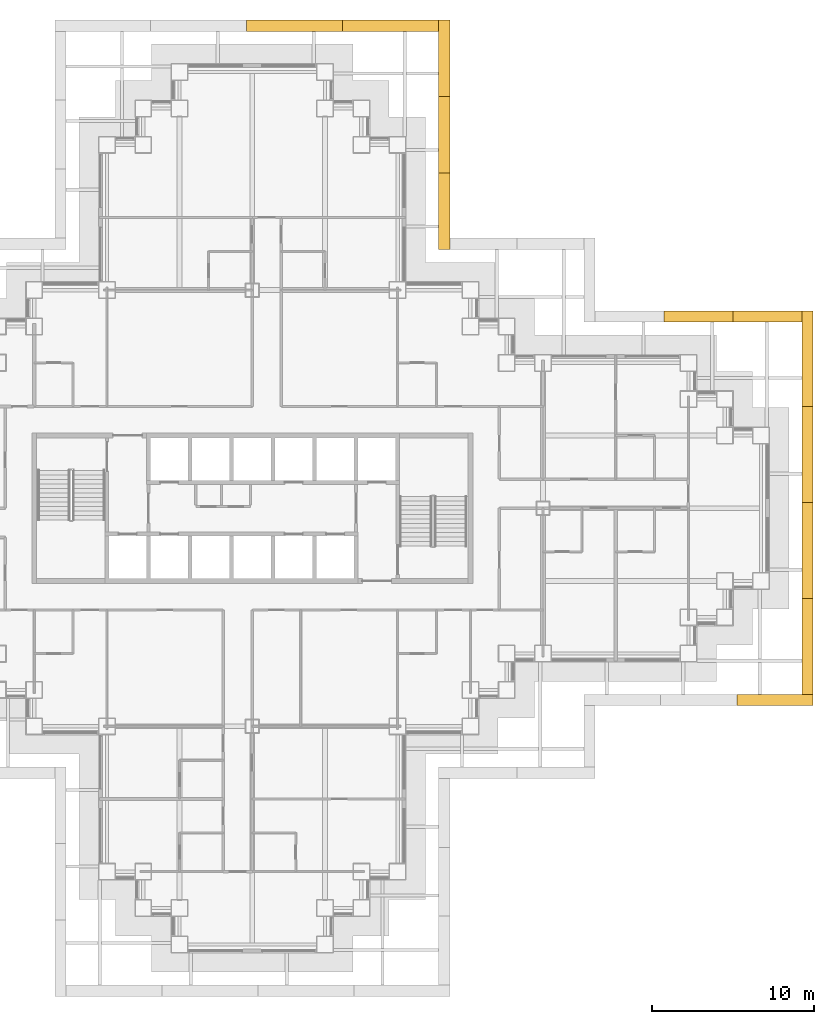
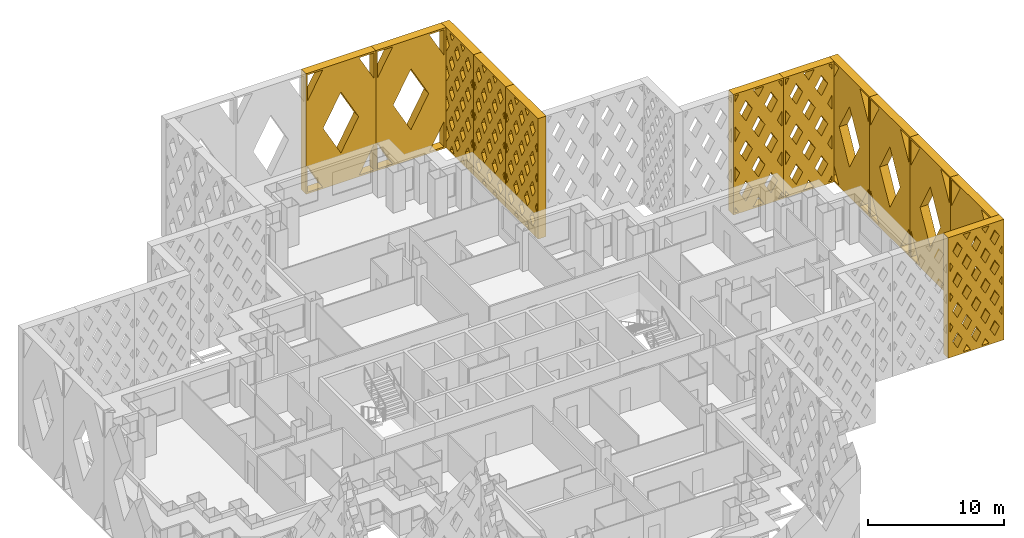
# One storey, part 19 of 19: 12 shading devices.
"""IFC4 building model written with IfcOpenShell, lengths in metres."""

import ifcopenshell
import ifcopenshell.guid

model = None  # the IFC model being written
_history = None  # IfcOwnerHistory: only IFC2X3 demands one
_inside = {}  # id of a spatial element -> (the spatial element, [elements in it])
_under = {}  # id of a project, library or spatial element -> (it, [spatial elements below it])
_declared = {}  # id of a project -> (the project, [libraries it declares])
_typed = {}  # id of a type object -> (the type object, [elements of that type])
_made_of = {}  # id of a material, layer set ... -> (it, [elements and type objects made of it])


def new_model(schema):
    """Start an empty IFC model of exactly this schema.

    Asked for "IFC4X3", IfcOpenShell would pick the latest addendum, in which some entities
    have other attributes; the version numbers below select the first issue.
    IFC2X3 requires an IfcOwnerHistory on every rooted entity: one is made here for all.
    """
    global model, _history
    if schema == "IFC4X3":
        model = ifcopenshell.file(schema_version=(4, 3, 0, 0))
    else:
        model = ifcopenshell.file(schema=schema)
    _inside.clear()
    _under.clear()
    _declared.clear()
    _typed.clear()
    _made_of.clear()
    _history = None
    if model.schema == "IFC2X3":
        org = make("IfcOrganization", Name="unknown")
        user = make(
            "IfcPersonAndOrganization",
            ThePerson=make("IfcPerson", FamilyName="unknown"),
            TheOrganization=org,
        )
        app = make(
            "IfcApplication",
            ApplicationDeveloper=org,
            Version="unknown",
            ApplicationFullName="unknown",
            ApplicationIdentifier="unknown",
        )
        _history = make(
            "IfcOwnerHistory",
            OwningUser=user,
            OwningApplication=app,
            ChangeAction="ADDED",
            CreationDate=0,
        )
    return model


def make(cls, **values):
    """One entity of the class cls with the attributes given. An attribute that is None is left unset."""
    return model.create_entity(
        cls, **{name: value for name, value in values.items() if value is not None}
    )


def rooted(cls, **values):
    """An entity with a GlobalId (a new one), such as an element, a storey or a relation."""
    return make(cls, GlobalId=ifcopenshell.guid.new(), OwnerHistory=_history, **values)


def si_unit(unit_type, name, prefix=None):
    """IfcSIUnit, for example si_unit("LENGTHUNIT", "METRE", prefix="MILLI")."""
    return make("IfcSIUnit", UnitType=unit_type, Prefix=prefix, Name=name)


def assignment(units):
    """IfcUnitAssignment: the units of a project."""
    return None if units is None else make("IfcUnitAssignment", Units=units)


def point(xyz):
    """IfcCartesianPoint."""
    return None if xyz is None else make("IfcCartesianPoint", Coordinates=xyz)


def direction(xyz):
    """IfcDirection."""
    return None if xyz is None else make("IfcDirection", DirectionRatios=xyz)


def frame(location, z_axis=None, x_axis=None):
    """IfcAxis2Placement3D, a coordinate frame: its origin and axes. An axis left out is left unset."""
    return make(
        "IfcAxis2Placement3D",
        Location=point(location),
        Axis=direction(z_axis),
        RefDirection=direction(x_axis),
    )


def origin():
    """The frame at (0, 0, 0) with its axes left unset."""
    return frame((0.0, 0.0, 0.0))


def place(relative_to, where):
    """IfcLocalPlacement: puts the frame where relative to a parent placement (None: the world)."""
    return make(
        "IfcLocalPlacement", PlacementRelTo=relative_to, RelativePlacement=where
    )


def context(
    kind, dimensions, precision=None, world=None, true_north=None, identifier=None
):
    """IfcGeometricRepresentationContext, for example the 3D "Model" context."""
    return make(
        "IfcGeometricRepresentationContext",
        ContextIdentifier=identifier,
        ContextType=kind,
        CoordinateSpaceDimension=dimensions,
        Precision=precision,
        WorldCoordinateSystem=world,
        TrueNorth=true_north,
    )


def subcontext(parent, identifier, kind, view, scale=None):
    """IfcGeometricRepresentationSubContext, for example "Body" below "Model"."""
    return make(
        "IfcGeometricRepresentationSubContext",
        ContextIdentifier=identifier,
        ContextType=kind,
        ParentContext=parent,
        TargetScale=scale,
        TargetView=view,
    )


def project(units=None, contexts=None):
    """IfcProject with its units and contexts."""
    return rooted(
        "IfcProject",
        Name="project",
        RepresentationContexts=contexts,
        UnitsInContext=assignment(units),
    )


def spatial(cls, under=None, at=None, **own):
    """A site, building, storey or space (cls), placed at a placement, below another one or the project."""
    s = rooted(cls, ObjectPlacement=at, **own)
    if under is not None:
        _under.setdefault(under.id(), (under, []))[1].append(s)
    return s


def polyline(points):
    """IfcPolyline through the points."""
    return make("IfcPolyline", Points=[point(p) for p in points])


def outline(outer, holes=None, kind="AREA"):
    """IfcArbitraryClosedProfileDef: a profile drawn as a closed curve; with holes, ...WithVoids."""
    if holes is None:
        return make("IfcArbitraryClosedProfileDef", ProfileType=kind, OuterCurve=outer)
    return make(
        "IfcArbitraryProfileDefWithVoids",
        ProfileType=kind,
        OuterCurve=outer,
        InnerCurves=holes,
    )


def extrude(swept, where, along, depth):
    """IfcExtrudedAreaSolid: the profile swept, set in the frame where, extruded along a direction by depth."""
    return make(
        "IfcExtrudedAreaSolid",
        SweptArea=swept,
        Position=where,
        ExtrudedDirection=direction(along),
        Depth=depth,
    )


def shape(context_of_items, identifier, shape_type, items):
    """IfcShapeRepresentation: the items that make up one representation, for example the "Body"."""
    return make(
        "IfcShapeRepresentation",
        ContextOfItems=context_of_items,
        RepresentationIdentifier=identifier,
        RepresentationType=shape_type,
        Items=items,
    )


def material(Name=None, Category=None):
    """IfcMaterial."""
    return make("IfcMaterial", Name=Name, Category=Category)


def made_of(thing, what):
    """Note that an element or type object is made of a material, layer set ...; save() writes the relation."""
    if what is not None:
        _made_of.setdefault(what.id(), (what, []))[1].append(thing)
    return thing


def type_object(cls, material=None, **own):
    """A type object (cls), such as IfcWallType, which elements share."""
    return made_of(rooted(cls, **own), material)


def element(
    cls,
    number,
    at=None,
    inside=None,
    cuts=None,
    type_object=None,
    material=None,
    context=None,
    identifier="Body",
    shape_type=None,
    held_by="IfcProductDefinitionShape",
    body=None,
    shapes=None,
    **own,
):
    """One element of the class cls, such as IfcWall. Its Tag is "e" and its number.

    at: its placement. inside: the storey or other place that contains it. cuts: it is an
    opening in that element (IfcRelVoidsElement). A single representation is given by context,
    identifier, shape_type and body (its items); several are given by shapes. held_by: the class
    of the entity that holds the representations. save() writes the other relations.
    """
    e = rooted(cls, Tag="e%d" % number, ObjectPlacement=at, **own)
    if body is not None:
        shapes = [shape(context, identifier, shape_type, body)]
    if shapes is not None:
        e.Representation = make(held_by, Representations=shapes)
    if inside is not None:
        _inside.setdefault(inside.id(), (inside, []))[1].append(e)
    if cuts is not None:
        rooted(
            "IfcRelVoidsElement", RelatingBuildingElement=cuts, RelatedOpeningElement=e
        )
    if type_object is not None:
        _typed.setdefault(type_object.id(), (type_object, []))[1].append(e)
    return made_of(e, material)


def aggregate(whole, parts):
    """IfcRelAggregates: a whole, such as a stair, and the parts it consists of."""
    return rooted("IfcRelAggregates", RelatingObject=whole, RelatedObjects=parts)


def save(model, path):
    """Write the relations noted so far, then the file.

    IfcRelAggregates (storeys below a building ...), IfcRelContainedInSpatialStructure (elements
    in a storey), IfcRelDefinesByType, IfcRelAssociatesMaterial and IfcRelDeclares: one each for
    every whole, place, type object, material and project.
    """
    for whole, parts in _under.values():
        aggregate(whole, parts)
    for where, things in _inside.values():
        rooted(
            "IfcRelContainedInSpatialStructure",
            RelatedElements=things,
            RelatingStructure=where,
        )
    for kind, things in _typed.values():
        rooted("IfcRelDefinesByType", RelatedObjects=things, RelatingType=kind)
    for what, things in _made_of.values():
        rooted("IfcRelAssociatesMaterial", RelatedObjects=things, RelatingMaterial=what)
    for by, libraries in _declared.values():
        rooted("IfcRelDeclares", RelatingContext=by, RelatedDefinitions=libraries)
    model.write(path)


model = new_model("IFC4")

# Units and contexts
model_context = context("Model", 3, precision=1e-05, world=origin(), true_north=direction((0.0, 1.0)))
body_context = subcontext(model_context, "Body", "Model", "MODEL_VIEW")
ifc_project = project(units=[si_unit("LENGTHUNIT", "METRE"), si_unit("AREAUNIT", "SQUARE_METRE"), si_unit("VOLUMEUNIT", "CUBIC_METRE"), si_unit("PLANEANGLEUNIT", "RADIAN"), si_unit("MASSUNIT", "GRAM", prefix="KILO")], contexts=[model_context])

# Site, building, storey
site_placement = place(None, origin())
site = spatial("IfcSite", under=ifc_project, at=site_placement, CompositionType="ELEMENT")
building_placement = place(site_placement, origin())
building = spatial("IfcBuilding", under=site, at=building_placement, Name="Caravel Reach Hotel and Residences", CompositionType="ELEMENT")
storey_placement = place(building_placement, frame((0.0, 0.0, 52.800048828125)))
storey = spatial("IfcBuildingStorey", under=building, at=storey_placement, Name="L11", CompositionType="ELEMENT", Elevation=52.800048828125)

# Shading devices
ifc_material_1 = material(Name="Black powder-coated aluminium", Category="aluminium")
shading_device_type_1 = type_object("IfcShadingDeviceType", Name="Diamond lattice screen panel 4267 x 10800", PredefinedType="USERDEFINED", material=ifc_material_1)
shading_device_1_placement = place(storey_placement, frame((65.52490234375, 38.52490234375, 0.0), z_axis=(0.0, 1.0, 0.0), x_axis=(-1.0, 0.0, 0.0)))
element("IfcShadingDevice", 1, at=shading_device_1_placement, inside=storey, type_object=shading_device_type_1, Name="Lattice screen L11-L13 8.1", ObjectType="SCREEN", PredefinedType="USERDEFINED", context=body_context, shape_type="SweptSolid", body=[
    extrude(outline(polyline([(0.0, 0.0), (4.2666015625, 0.0), (4.2666015625, 10.800048828125), (0.0, 10.800048828125), (0.0, 0.0)]), holes=[polyline([(0.457275390625, 0.14990234375), (0.14990234375, 0.66845703125), (0.14990234375, 0.14990234375), (0.457275390625, 0.14990234375)]), polyline([(0.546142578125, 3.60009765625), (0.14990234375, 4.2685546875), (0.14990234375, 2.931396484375), (0.546142578125, 3.60009765625)]), polyline([(0.546142578125, 7.199951171875), (0.14990234375, 7.868408203125), (0.14990234375, 6.531494140625), (0.546142578125, 7.199951171875)]), polyline([(0.14990234375, 10.131591796875), (0.457275390625, 10.64990234375), (0.14990234375, 10.64990234375), (0.14990234375, 10.131591796875)]), polyline([(1.066650390625, 2.7216796875), (0.5205078125, 1.800048828125), (1.066650390625, 0.87841796875), (1.61279296875, 1.800048828125), (1.066650390625, 2.7216796875)]), polyline([(1.066650390625, 6.321533203125), (0.5205078125, 5.39990234375), (1.066650390625, 4.478271484375), (1.61279296875, 5.39990234375), (1.066650390625, 6.321533203125)]), polyline([(1.066650390625, 9.921630859375), (0.5205078125, 9.0), (1.066650390625, 8.078369140625), (1.61279296875, 9.0), (1.066650390625, 9.921630859375)]), polyline([(2.13330078125, 0.921630859375), (1.676025390625, 0.14990234375), (2.590576171875, 0.14990234375), (2.13330078125, 0.921630859375)]), polyline([(2.13330078125, 4.521728515625), (1.587158203125, 3.60009765625), (2.13330078125, 2.678466796875), (2.679443359375, 3.60009765625), (2.13330078125, 4.521728515625)]), polyline([(2.13330078125, 8.12158203125), (1.587158203125, 7.199951171875), (2.13330078125, 6.2783203125), (2.679443359375, 7.199951171875), (2.13330078125, 8.12158203125)]), polyline([(2.13330078125, 9.87841796875), (2.590576171875, 10.64990234375), (1.676025390625, 10.64990234375), (2.13330078125, 9.87841796875)]), polyline([(3.199951171875, 2.7216796875), (2.65380859375, 1.800048828125), (3.199951171875, 0.87841796875), (3.74609375, 1.800048828125), (3.199951171875, 2.7216796875)]), polyline([(3.199951171875, 6.321533203125), (2.65380859375, 5.39990234375), (3.199951171875, 4.478271484375), (3.74609375, 5.39990234375), (3.199951171875, 6.321533203125)]), polyline([(3.199951171875, 9.921630859375), (2.65380859375, 9.0), (3.199951171875, 8.078369140625), (3.74609375, 9.0), (3.199951171875, 9.921630859375)]), polyline([(4.11669921875, 0.66845703125), (3.809326171875, 0.14990234375), (4.11669921875, 0.14990234375), (4.11669921875, 0.66845703125)]), polyline([(3.720458984375, 3.60009765625), (4.11669921875, 2.931396484375), (4.11669921875, 4.2685546875), (3.720458984375, 3.60009765625)]), polyline([(3.720458984375, 7.199951171875), (4.11669921875, 6.531494140625), (4.11669921875, 7.868408203125), (3.720458984375, 7.199951171875)]), polyline([(3.809326171875, 10.64990234375), (4.11669921875, 10.131591796875), (4.11669921875, 10.64990234375), (3.809326171875, 10.64990234375)])]), origin(), (0.0, 0.0, 1.0), 0.7001953125),
])
shading_device_2_placement = place(storey_placement, frame((61.25830078125, 38.52490234375, 0.0), z_axis=(0.0, 1.0, 0.0), x_axis=(-1.0, 0.0, 0.0)))
element("IfcShadingDevice", 2, at=shading_device_2_placement, inside=storey, type_object=shading_device_type_1, Name="Lattice screen L11-L13 8.2", ObjectType="SCREEN", PredefinedType="USERDEFINED", context=body_context, shape_type="SweptSolid", body=[
    extrude(outline(polyline([(0.0, 0.0), (4.2666015625, 0.0), (4.2666015625, 10.800048828125), (0.0, 10.800048828125), (0.0, 0.0)]), holes=[polyline([(0.457275390625, 0.14990234375), (0.14990234375, 0.66845703125), (0.14990234375, 0.14990234375), (0.457275390625, 0.14990234375)]), polyline([(0.546142578125, 3.60009765625), (0.14990234375, 4.2685546875), (0.14990234375, 2.931396484375), (0.546142578125, 3.60009765625)]), polyline([(0.546142578125, 7.199951171875), (0.14990234375, 7.868408203125), (0.14990234375, 6.531494140625), (0.546142578125, 7.199951171875)]), polyline([(0.14990234375, 10.131591796875), (0.457275390625, 10.64990234375), (0.14990234375, 10.64990234375), (0.14990234375, 10.131591796875)]), polyline([(1.066650390625, 2.7216796875), (0.5205078125, 1.800048828125), (1.066650390625, 0.87841796875), (1.61279296875, 1.800048828125), (1.066650390625, 2.7216796875)]), polyline([(1.066650390625, 6.321533203125), (0.5205078125, 5.39990234375), (1.066650390625, 4.478271484375), (1.61279296875, 5.39990234375), (1.066650390625, 6.321533203125)]), polyline([(1.066650390625, 9.921630859375), (0.5205078125, 9.0), (1.066650390625, 8.078369140625), (1.61279296875, 9.0), (1.066650390625, 9.921630859375)]), polyline([(2.13330078125, 0.921630859375), (1.676025390625, 0.14990234375), (2.590576171875, 0.14990234375), (2.13330078125, 0.921630859375)]), polyline([(2.13330078125, 4.521728515625), (1.587158203125, 3.60009765625), (2.13330078125, 2.678466796875), (2.679443359375, 3.60009765625), (2.13330078125, 4.521728515625)]), polyline([(2.13330078125, 8.12158203125), (1.587158203125, 7.199951171875), (2.13330078125, 6.2783203125), (2.679443359375, 7.199951171875), (2.13330078125, 8.12158203125)]), polyline([(2.13330078125, 9.87841796875), (2.590576171875, 10.64990234375), (1.676025390625, 10.64990234375), (2.13330078125, 9.87841796875)]), polyline([(3.199951171875, 2.7216796875), (2.65380859375, 1.800048828125), (3.199951171875, 0.87841796875), (3.74609375, 1.800048828125), (3.199951171875, 2.7216796875)]), polyline([(3.199951171875, 6.321533203125), (2.65380859375, 5.39990234375), (3.199951171875, 4.478271484375), (3.74609375, 5.39990234375), (3.199951171875, 6.321533203125)]), polyline([(3.199951171875, 9.921630859375), (2.65380859375, 9.0), (3.199951171875, 8.078369140625), (3.74609375, 9.0), (3.199951171875, 9.921630859375)]), polyline([(4.11669921875, 0.66845703125), (3.809326171875, 0.14990234375), (4.11669921875, 0.14990234375), (4.11669921875, 0.66845703125)]), polyline([(3.720458984375, 3.60009765625), (4.11669921875, 2.931396484375), (4.11669921875, 4.2685546875), (3.720458984375, 3.60009765625)]), polyline([(3.720458984375, 7.199951171875), (4.11669921875, 6.531494140625), (4.11669921875, 7.868408203125), (3.720458984375, 7.199951171875)]), polyline([(3.809326171875, 10.64990234375), (4.11669921875, 10.131591796875), (4.11669921875, 10.64990234375), (3.809326171875, 10.64990234375)])]), origin(), (0.0, 0.0, 1.0), 0.7001953125),
])
ifc_material_2 = material(Name="Black powder-coated aluminium", Category="aluminium")
shading_device_type_2 = type_object("IfcShadingDeviceType", Name="Diamond lattice screen panel 4733 x 10800", PredefinedType="USERDEFINED", material=ifc_material_2)
shading_device_3_placement = place(storey_placement, frame((61.49169921875, 15.47509765625, 0.0), z_axis=(0.0, -1.0, 0.0), x_axis=(1.0, 0.0, 0.0)))
element("IfcShadingDevice", 3, at=shading_device_3_placement, inside=storey, type_object=shading_device_type_2, Name="Lattice screen L11-L13 6.3", ObjectType="SCREEN", PredefinedType="USERDEFINED", context=body_context, shape_type="SweptSolid", body=[
    extrude(outline(polyline([(0.0, 0.0), (4.7333984375, 0.0), (4.7333984375, 10.800048828125), (0.0, 10.800048828125), (0.0, 0.0)]), holes=[polyline([(0.4013671875, 2.699951171875), (0.14990234375, 3.130126953125), (0.14990234375, 2.269775390625), (0.4013671875, 2.699951171875)]), polyline([(0.4013671875, 5.39990234375), (0.14990234375, 5.830078125), (0.14990234375, 4.969970703125), (0.4013671875, 5.39990234375)]), polyline([(0.4013671875, 8.10009765625), (0.14990234375, 8.530029296875), (0.14990234375, 7.669921875), (0.4013671875, 8.10009765625)]), polyline([(0.788818359375, 2.036865234375), (0.387451171875, 1.35009765625), (0.788818359375, 0.6630859375), (1.190185546875, 1.35009765625), (0.788818359375, 2.036865234375)]), polyline([(0.788818359375, 4.73681640625), (0.387451171875, 4.050048828125), (0.788818359375, 3.36328125), (1.190185546875, 4.050048828125), (0.788818359375, 4.73681640625)]), polyline([(0.788818359375, 7.436767578125), (0.387451171875, 6.75), (0.788818359375, 6.063232421875), (1.190185546875, 6.75), (0.788818359375, 7.436767578125)]), polyline([(0.788818359375, 10.13671875), (0.387451171875, 9.449951171875), (0.788818359375, 8.76318359375), (1.190185546875, 9.449951171875), (0.788818359375, 10.13671875)]), polyline([(1.577880859375, 0.686767578125), (1.26416015625, 0.14990234375), (1.8916015625, 0.14990234375), (1.577880859375, 0.686767578125)]), polyline([(1.577880859375, 3.38671875), (1.176513671875, 2.699951171875), (1.577880859375, 2.01318359375), (1.979248046875, 2.699951171875), (1.577880859375, 3.38671875)]), polyline([(1.577880859375, 6.0869140625), (1.176513671875, 5.39990234375), (1.577880859375, 4.713134765625), (1.979248046875, 5.39990234375), (1.577880859375, 6.0869140625)]), polyline([(1.577880859375, 8.786865234375), (1.176513671875, 8.10009765625), (1.577880859375, 7.4130859375), (1.979248046875, 8.10009765625), (1.577880859375, 8.786865234375)]), polyline([(1.577880859375, 10.11328125), (1.8916015625, 10.64990234375), (1.26416015625, 10.64990234375), (1.577880859375, 10.11328125)]), polyline([(2.36669921875, 2.036865234375), (1.96533203125, 1.35009765625), (2.36669921875, 0.6630859375), (2.76806640625, 1.35009765625), (2.36669921875, 2.036865234375)]), polyline([(2.36669921875, 4.73681640625), (1.96533203125, 4.050048828125), (2.36669921875, 3.36328125), (2.76806640625, 4.050048828125), (2.36669921875, 4.73681640625)]), polyline([(2.36669921875, 7.436767578125), (1.96533203125, 6.75), (2.36669921875, 6.063232421875), (2.76806640625, 6.75), (2.36669921875, 7.436767578125)]), polyline([(2.36669921875, 10.13671875), (1.96533203125, 9.449951171875), (2.36669921875, 8.76318359375), (2.76806640625, 9.449951171875), (2.36669921875, 10.13671875)]), polyline([(3.155517578125, 0.686767578125), (2.841796875, 0.14990234375), (3.46923828125, 0.14990234375), (3.155517578125, 0.686767578125)]), polyline([(3.155517578125, 3.38671875), (2.754150390625, 2.699951171875), (3.155517578125, 2.01318359375), (3.556884765625, 2.699951171875), (3.155517578125, 3.38671875)]), polyline([(3.155517578125, 6.0869140625), (2.754150390625, 5.39990234375), (3.155517578125, 4.713134765625), (3.556884765625, 5.39990234375), (3.155517578125, 6.0869140625)]), polyline([(3.155517578125, 8.786865234375), (2.754150390625, 8.10009765625), (3.155517578125, 7.4130859375), (3.556884765625, 8.10009765625), (3.155517578125, 8.786865234375)]), polyline([(3.155517578125, 10.11328125), (3.46923828125, 10.64990234375), (2.841796875, 10.64990234375), (3.155517578125, 10.11328125)]), polyline([(3.9443359375, 2.036865234375), (3.54296875, 1.35009765625), (3.9443359375, 0.6630859375), (4.345703125, 1.35009765625), (3.9443359375, 2.036865234375)]), polyline([(3.9443359375, 4.73681640625), (3.54296875, 4.050048828125), (3.9443359375, 3.36328125), (4.345703125, 4.050048828125), (3.9443359375, 4.73681640625)]), polyline([(3.9443359375, 7.436767578125), (3.54296875, 6.75), (3.9443359375, 6.063232421875), (4.345703125, 6.75), (3.9443359375, 7.436767578125)]), polyline([(3.9443359375, 10.13671875), (3.54296875, 9.449951171875), (3.9443359375, 8.76318359375), (4.345703125, 9.449951171875), (3.9443359375, 10.13671875)]), polyline([(4.33203125, 2.699951171875), (4.583251953125, 2.269775390625), (4.583251953125, 3.130126953125), (4.33203125, 2.699951171875)]), polyline([(4.33203125, 5.39990234375), (4.583251953125, 4.969970703125), (4.583251953125, 5.830078125), (4.33203125, 5.39990234375)]), polyline([(4.33203125, 8.10009765625), (4.583251953125, 7.669921875), (4.583251953125, 8.530029296875), (4.33203125, 8.10009765625)])]), origin(), (0.0, 0.0, 1.0), 0.7001953125),
])
shading_device_4_placement = place(storey_placement, frame((43.02490234375, 43.02490234375, 0.0), z_axis=(1.0, 0.0, 0.0), x_axis=(0.0, 1.0, 0.0)))
element("IfcShadingDevice", 4, at=shading_device_4_placement, inside=storey, type_object=shading_device_type_2, Name="Lattice screen L11-L13 11.1", ObjectType="SCREEN", PredefinedType="USERDEFINED", context=body_context, shape_type="SweptSolid", body=[
    extrude(outline(polyline([(0.0, 0.0), (4.7333984375, 0.0), (4.7333984375, 10.800048828125), (0.0, 10.800048828125), (0.0, 0.0)]), holes=[polyline([(0.4013671875, 2.699951171875), (0.14990234375, 3.130126953125), (0.14990234375, 2.269775390625), (0.4013671875, 2.699951171875)]), polyline([(0.4013671875, 5.39990234375), (0.14990234375, 5.830078125), (0.14990234375, 4.969970703125), (0.4013671875, 5.39990234375)]), polyline([(0.4013671875, 8.10009765625), (0.14990234375, 8.530029296875), (0.14990234375, 7.669921875), (0.4013671875, 8.10009765625)]), polyline([(0.788818359375, 2.036865234375), (0.387451171875, 1.35009765625), (0.788818359375, 0.6630859375), (1.190185546875, 1.35009765625), (0.788818359375, 2.036865234375)]), polyline([(0.788818359375, 4.73681640625), (0.387451171875, 4.050048828125), (0.788818359375, 3.36328125), (1.190185546875, 4.050048828125), (0.788818359375, 4.73681640625)]), polyline([(0.788818359375, 7.436767578125), (0.387451171875, 6.75), (0.788818359375, 6.063232421875), (1.190185546875, 6.75), (0.788818359375, 7.436767578125)]), polyline([(0.788818359375, 10.13671875), (0.387451171875, 9.449951171875), (0.788818359375, 8.76318359375), (1.190185546875, 9.449951171875), (0.788818359375, 10.13671875)]), polyline([(1.577880859375, 0.686767578125), (1.26416015625, 0.14990234375), (1.8916015625, 0.14990234375), (1.577880859375, 0.686767578125)]), polyline([(1.577880859375, 3.38671875), (1.176513671875, 2.699951171875), (1.577880859375, 2.01318359375), (1.979248046875, 2.699951171875), (1.577880859375, 3.38671875)]), polyline([(1.577880859375, 6.0869140625), (1.176513671875, 5.39990234375), (1.577880859375, 4.713134765625), (1.979248046875, 5.39990234375), (1.577880859375, 6.0869140625)]), polyline([(1.577880859375, 8.786865234375), (1.176513671875, 8.10009765625), (1.577880859375, 7.4130859375), (1.979248046875, 8.10009765625), (1.577880859375, 8.786865234375)]), polyline([(1.577880859375, 10.11328125), (1.8916015625, 10.64990234375), (1.26416015625, 10.64990234375), (1.577880859375, 10.11328125)]), polyline([(2.36669921875, 2.036865234375), (1.96533203125, 1.35009765625), (2.36669921875, 0.6630859375), (2.76806640625, 1.35009765625), (2.36669921875, 2.036865234375)]), polyline([(2.36669921875, 4.73681640625), (1.96533203125, 4.050048828125), (2.36669921875, 3.36328125), (2.76806640625, 4.050048828125), (2.36669921875, 4.73681640625)]), polyline([(2.36669921875, 7.436767578125), (1.96533203125, 6.75), (2.36669921875, 6.063232421875), (2.76806640625, 6.75), (2.36669921875, 7.436767578125)]), polyline([(2.36669921875, 10.13671875), (1.96533203125, 9.449951171875), (2.36669921875, 8.76318359375), (2.76806640625, 9.449951171875), (2.36669921875, 10.13671875)]), polyline([(3.155517578125, 0.686767578125), (2.841796875, 0.14990234375), (3.46923828125, 0.14990234375), (3.155517578125, 0.686767578125)]), polyline([(3.155517578125, 3.38671875), (2.754150390625, 2.699951171875), (3.155517578125, 2.01318359375), (3.556884765625, 2.699951171875), (3.155517578125, 3.38671875)]), polyline([(3.155517578125, 6.0869140625), (2.754150390625, 5.39990234375), (3.155517578125, 4.713134765625), (3.556884765625, 5.39990234375), (3.155517578125, 6.0869140625)]), polyline([(3.155517578125, 8.786865234375), (2.754150390625, 8.10009765625), (3.155517578125, 7.4130859375), (3.556884765625, 8.10009765625), (3.155517578125, 8.786865234375)]), polyline([(3.155517578125, 10.11328125), (3.46923828125, 10.64990234375), (2.841796875, 10.64990234375), (3.155517578125, 10.11328125)]), polyline([(3.9443359375, 2.036865234375), (3.54296875, 1.35009765625), (3.9443359375, 0.6630859375), (4.345703125, 1.35009765625), (3.9443359375, 2.036865234375)]), polyline([(3.9443359375, 4.73681640625), (3.54296875, 4.050048828125), (3.9443359375, 3.36328125), (4.345703125, 4.050048828125), (3.9443359375, 4.73681640625)]), polyline([(3.9443359375, 7.436767578125), (3.54296875, 6.75), (3.9443359375, 6.063232421875), (4.345703125, 6.75), (3.9443359375, 7.436767578125)]), polyline([(3.9443359375, 10.13671875), (3.54296875, 9.449951171875), (3.9443359375, 8.76318359375), (4.345703125, 9.449951171875), (3.9443359375, 10.13671875)]), polyline([(4.33203125, 2.699951171875), (4.583251953125, 2.269775390625), (4.583251953125, 3.130126953125), (4.33203125, 2.699951171875)]), polyline([(4.33203125, 5.39990234375), (4.583251953125, 4.969970703125), (4.583251953125, 5.830078125), (4.33203125, 5.39990234375)]), polyline([(4.33203125, 8.10009765625), (4.583251953125, 7.669921875), (4.583251953125, 8.530029296875), (4.33203125, 8.10009765625)])]), origin(), (0.0, 0.0, 1.0), 0.7001953125),
])
shading_device_5_placement = place(storey_placement, frame((43.02490234375, 47.75830078125, 0.0), z_axis=(1.0, 0.0, 0.0), x_axis=(0.0, 1.0, 0.0)))
element("IfcShadingDevice", 5, at=shading_device_5_placement, inside=storey, type_object=shading_device_type_2, Name="Lattice screen L11-L13 11.2", ObjectType="SCREEN", PredefinedType="USERDEFINED", context=body_context, shape_type="SweptSolid", body=[
    extrude(outline(polyline([(0.0, 0.0), (4.7333984375, 0.0), (4.7333984375, 10.800048828125), (0.0, 10.800048828125), (0.0, 0.0)]), holes=[polyline([(0.4013671875, 2.699951171875), (0.14990234375, 3.130126953125), (0.14990234375, 2.269775390625), (0.4013671875, 2.699951171875)]), polyline([(0.4013671875, 5.39990234375), (0.14990234375, 5.830078125), (0.14990234375, 4.969970703125), (0.4013671875, 5.39990234375)]), polyline([(0.4013671875, 8.10009765625), (0.14990234375, 8.530029296875), (0.14990234375, 7.669921875), (0.4013671875, 8.10009765625)]), polyline([(0.788818359375, 2.036865234375), (0.387451171875, 1.35009765625), (0.788818359375, 0.6630859375), (1.190185546875, 1.35009765625), (0.788818359375, 2.036865234375)]), polyline([(0.788818359375, 4.73681640625), (0.387451171875, 4.050048828125), (0.788818359375, 3.36328125), (1.190185546875, 4.050048828125), (0.788818359375, 4.73681640625)]), polyline([(0.788818359375, 7.436767578125), (0.387451171875, 6.75), (0.788818359375, 6.063232421875), (1.190185546875, 6.75), (0.788818359375, 7.436767578125)]), polyline([(0.788818359375, 10.13671875), (0.387451171875, 9.449951171875), (0.788818359375, 8.76318359375), (1.190185546875, 9.449951171875), (0.788818359375, 10.13671875)]), polyline([(1.577880859375, 0.686767578125), (1.26416015625, 0.14990234375), (1.8916015625, 0.14990234375), (1.577880859375, 0.686767578125)]), polyline([(1.577880859375, 3.38671875), (1.176513671875, 2.699951171875), (1.577880859375, 2.01318359375), (1.979248046875, 2.699951171875), (1.577880859375, 3.38671875)]), polyline([(1.577880859375, 6.0869140625), (1.176513671875, 5.39990234375), (1.577880859375, 4.713134765625), (1.979248046875, 5.39990234375), (1.577880859375, 6.0869140625)]), polyline([(1.577880859375, 8.786865234375), (1.176513671875, 8.10009765625), (1.577880859375, 7.4130859375), (1.979248046875, 8.10009765625), (1.577880859375, 8.786865234375)]), polyline([(1.577880859375, 10.11328125), (1.8916015625, 10.64990234375), (1.26416015625, 10.64990234375), (1.577880859375, 10.11328125)]), polyline([(2.36669921875, 2.036865234375), (1.96533203125, 1.35009765625), (2.36669921875, 0.6630859375), (2.76806640625, 1.35009765625), (2.36669921875, 2.036865234375)]), polyline([(2.36669921875, 4.73681640625), (1.96533203125, 4.050048828125), (2.36669921875, 3.36328125), (2.76806640625, 4.050048828125), (2.36669921875, 4.73681640625)]), polyline([(2.36669921875, 7.436767578125), (1.96533203125, 6.75), (2.36669921875, 6.063232421875), (2.76806640625, 6.75), (2.36669921875, 7.436767578125)]), polyline([(2.36669921875, 10.13671875), (1.96533203125, 9.449951171875), (2.36669921875, 8.76318359375), (2.76806640625, 9.449951171875), (2.36669921875, 10.13671875)]), polyline([(3.155517578125, 0.686767578125), (2.841796875, 0.14990234375), (3.46923828125, 0.14990234375), (3.155517578125, 0.686767578125)]), polyline([(3.155517578125, 3.38671875), (2.754150390625, 2.699951171875), (3.155517578125, 2.01318359375), (3.556884765625, 2.699951171875), (3.155517578125, 3.38671875)]), polyline([(3.155517578125, 6.0869140625), (2.754150390625, 5.39990234375), (3.155517578125, 4.713134765625), (3.556884765625, 5.39990234375), (3.155517578125, 6.0869140625)]), polyline([(3.155517578125, 8.786865234375), (2.754150390625, 8.10009765625), (3.155517578125, 7.4130859375), (3.556884765625, 8.10009765625), (3.155517578125, 8.786865234375)]), polyline([(3.155517578125, 10.11328125), (3.46923828125, 10.64990234375), (2.841796875, 10.64990234375), (3.155517578125, 10.11328125)]), polyline([(3.9443359375, 2.036865234375), (3.54296875, 1.35009765625), (3.9443359375, 0.6630859375), (4.345703125, 1.35009765625), (3.9443359375, 2.036865234375)]), polyline([(3.9443359375, 4.73681640625), (3.54296875, 4.050048828125), (3.9443359375, 3.36328125), (4.345703125, 4.050048828125), (3.9443359375, 4.73681640625)]), polyline([(3.9443359375, 7.436767578125), (3.54296875, 6.75), (3.9443359375, 6.063232421875), (4.345703125, 6.75), (3.9443359375, 7.436767578125)]), polyline([(3.9443359375, 10.13671875), (3.54296875, 9.449951171875), (3.9443359375, 8.76318359375), (4.345703125, 9.449951171875), (3.9443359375, 10.13671875)]), polyline([(4.33203125, 2.699951171875), (4.583251953125, 2.269775390625), (4.583251953125, 3.130126953125), (4.33203125, 2.699951171875)]), polyline([(4.33203125, 5.39990234375), (4.583251953125, 4.969970703125), (4.583251953125, 5.830078125), (4.33203125, 5.39990234375)]), polyline([(4.33203125, 8.10009765625), (4.583251953125, 7.669921875), (4.583251953125, 8.530029296875), (4.33203125, 8.10009765625)])]), origin(), (0.0, 0.0, 1.0), 0.7001953125),
])
shading_device_6_placement = place(storey_placement, frame((43.02490234375, 52.49169921875, 0.0), z_axis=(1.0, 0.0, 0.0), x_axis=(0.0, 1.0, 0.0)))
element("IfcShadingDevice", 6, at=shading_device_6_placement, inside=storey, type_object=shading_device_type_2, Name="Lattice screen L11-L13 11.3", ObjectType="SCREEN", PredefinedType="USERDEFINED", context=body_context, shape_type="SweptSolid", body=[
    extrude(outline(polyline([(0.0, 0.0), (4.7333984375, 0.0), (4.7333984375, 10.800048828125), (0.0, 10.800048828125), (0.0, 0.0)]), holes=[polyline([(0.4013671875, 2.699951171875), (0.14990234375, 3.130126953125), (0.14990234375, 2.269775390625), (0.4013671875, 2.699951171875)]), polyline([(0.4013671875, 5.39990234375), (0.14990234375, 5.830078125), (0.14990234375, 4.969970703125), (0.4013671875, 5.39990234375)]), polyline([(0.4013671875, 8.10009765625), (0.14990234375, 8.530029296875), (0.14990234375, 7.669921875), (0.4013671875, 8.10009765625)]), polyline([(0.788818359375, 2.036865234375), (0.387451171875, 1.35009765625), (0.788818359375, 0.6630859375), (1.190185546875, 1.35009765625), (0.788818359375, 2.036865234375)]), polyline([(0.788818359375, 4.73681640625), (0.387451171875, 4.050048828125), (0.788818359375, 3.36328125), (1.190185546875, 4.050048828125), (0.788818359375, 4.73681640625)]), polyline([(0.788818359375, 7.436767578125), (0.387451171875, 6.75), (0.788818359375, 6.063232421875), (1.190185546875, 6.75), (0.788818359375, 7.436767578125)]), polyline([(0.788818359375, 10.13671875), (0.387451171875, 9.449951171875), (0.788818359375, 8.76318359375), (1.190185546875, 9.449951171875), (0.788818359375, 10.13671875)]), polyline([(1.577880859375, 0.686767578125), (1.26416015625, 0.14990234375), (1.8916015625, 0.14990234375), (1.577880859375, 0.686767578125)]), polyline([(1.577880859375, 3.38671875), (1.176513671875, 2.699951171875), (1.577880859375, 2.01318359375), (1.979248046875, 2.699951171875), (1.577880859375, 3.38671875)]), polyline([(1.577880859375, 6.0869140625), (1.176513671875, 5.39990234375), (1.577880859375, 4.713134765625), (1.979248046875, 5.39990234375), (1.577880859375, 6.0869140625)]), polyline([(1.577880859375, 8.786865234375), (1.176513671875, 8.10009765625), (1.577880859375, 7.4130859375), (1.979248046875, 8.10009765625), (1.577880859375, 8.786865234375)]), polyline([(1.577880859375, 10.11328125), (1.8916015625, 10.64990234375), (1.26416015625, 10.64990234375), (1.577880859375, 10.11328125)]), polyline([(2.36669921875, 2.036865234375), (1.96533203125, 1.35009765625), (2.36669921875, 0.6630859375), (2.76806640625, 1.35009765625), (2.36669921875, 2.036865234375)]), polyline([(2.36669921875, 4.73681640625), (1.96533203125, 4.050048828125), (2.36669921875, 3.36328125), (2.76806640625, 4.050048828125), (2.36669921875, 4.73681640625)]), polyline([(2.36669921875, 7.436767578125), (1.96533203125, 6.75), (2.36669921875, 6.063232421875), (2.76806640625, 6.75), (2.36669921875, 7.436767578125)]), polyline([(2.36669921875, 10.13671875), (1.96533203125, 9.449951171875), (2.36669921875, 8.76318359375), (2.76806640625, 9.449951171875), (2.36669921875, 10.13671875)]), polyline([(3.155517578125, 0.686767578125), (2.841796875, 0.14990234375), (3.46923828125, 0.14990234375), (3.155517578125, 0.686767578125)]), polyline([(3.155517578125, 3.38671875), (2.754150390625, 2.699951171875), (3.155517578125, 2.01318359375), (3.556884765625, 2.699951171875), (3.155517578125, 3.38671875)]), polyline([(3.155517578125, 6.0869140625), (2.754150390625, 5.39990234375), (3.155517578125, 4.713134765625), (3.556884765625, 5.39990234375), (3.155517578125, 6.0869140625)]), polyline([(3.155517578125, 8.786865234375), (2.754150390625, 8.10009765625), (3.155517578125, 7.4130859375), (3.556884765625, 8.10009765625), (3.155517578125, 8.786865234375)]), polyline([(3.155517578125, 10.11328125), (3.46923828125, 10.64990234375), (2.841796875, 10.64990234375), (3.155517578125, 10.11328125)]), polyline([(3.9443359375, 2.036865234375), (3.54296875, 1.35009765625), (3.9443359375, 0.6630859375), (4.345703125, 1.35009765625), (3.9443359375, 2.036865234375)]), polyline([(3.9443359375, 4.73681640625), (3.54296875, 4.050048828125), (3.9443359375, 3.36328125), (4.345703125, 4.050048828125), (3.9443359375, 4.73681640625)]), polyline([(3.9443359375, 7.436767578125), (3.54296875, 6.75), (3.9443359375, 6.063232421875), (4.345703125, 6.75), (3.9443359375, 7.436767578125)]), polyline([(3.9443359375, 10.13671875), (3.54296875, 9.449951171875), (3.9443359375, 8.76318359375), (4.345703125, 9.449951171875), (3.9443359375, 10.13671875)]), polyline([(4.33203125, 2.699951171875), (4.583251953125, 2.269775390625), (4.583251953125, 3.130126953125), (4.33203125, 2.699951171875)]), polyline([(4.33203125, 5.39990234375), (4.583251953125, 4.969970703125), (4.583251953125, 5.830078125), (4.33203125, 5.39990234375)]), polyline([(4.33203125, 8.10009765625), (4.583251953125, 7.669921875), (4.583251953125, 8.530029296875), (4.33203125, 8.10009765625)])]), origin(), (0.0, 0.0, 1.0), 0.7001953125),
])
ifc_material_3 = material(Name="Black powder-coated aluminium", Category="aluminium")
shading_device_type_3 = type_object("IfcShadingDeviceType", Name="Diamond lattice screen panel 5937 x 10800", PredefinedType="USERDEFINED", material=ifc_material_3)
for number, where, z_axis, x_axis, name in (
    (7, (65.52490234375, 15.47509765625, 0.0), (1.0, 0.0, 0.0), (0.0, 1.0, 0.0), "Lattice screen L11-L13 7.1"),
    (8, (65.52490234375, 21.41259765625, 0.0), (1.0, 0.0, 0.0), (0.0, 1.0, 0.0), "Lattice screen L11-L13 7.2"),
    (9, (65.52490234375, 27.35009765625, 0.0), (1.0, 0.0, 0.0), (0.0, 1.0, 0.0), "Lattice screen L11-L13 7.3"),
    (10, (65.52490234375, 33.28759765625, 0.0), (1.0, 0.0, 0.0), (0.0, 1.0, 0.0), "Lattice screen L11-L13 7.4"),
    (11, (43.02490234375, 56.52490234375, 0.0), (0.0, 1.0, 0.0), (-1.0, 0.0, 0.0), "Lattice screen L11-L13 12.1"),
    (12, (37.08740234375, 56.52490234375, 0.0), (0.0, 1.0, 0.0), (-1.0, 0.0, 0.0), "Lattice screen L11-L13 12.2"),
):
    element("IfcShadingDevice", number, at=place(storey_placement, frame(where, z_axis=z_axis, x_axis=x_axis)), inside=storey, type_object=shading_device_type_3, Name=name, ObjectType="SCREEN", PredefinedType="USERDEFINED", context=body_context, shape_type="SweptSolid", body=[
        extrude(outline(polyline([(0.0, 0.0), (5.9375, 0.0), (5.9375, 10.800048828125), (0.0, 10.800048828125), (0.0, 0.0)]), holes=[polyline([(1.42138671875, 0.14990234375), (0.14990234375, 2.462646484375), (0.14990234375, 0.14990234375), (1.42138671875, 0.14990234375)]), polyline([(0.14990234375, 8.33740234375), (1.42138671875, 10.64990234375), (0.14990234375, 10.64990234375), (0.14990234375, 8.33740234375)]), polyline([(2.96875, 8.135498046875), (1.46484375, 5.39990234375), (2.96875, 2.66455078125), (4.47265625, 5.39990234375), (2.96875, 8.135498046875)]), polyline([(5.78759765625, 2.462646484375), (4.51611328125, 0.14990234375), (5.78759765625, 0.14990234375), (5.78759765625, 2.462646484375)]), polyline([(4.51611328125, 10.64990234375), (5.78759765625, 8.33740234375), (5.78759765625, 10.64990234375), (4.51611328125, 10.64990234375)])]), origin(), (0.0, 0.0, 1.0), 0.7001953125),
    ])

save(model, "model.ifc")
